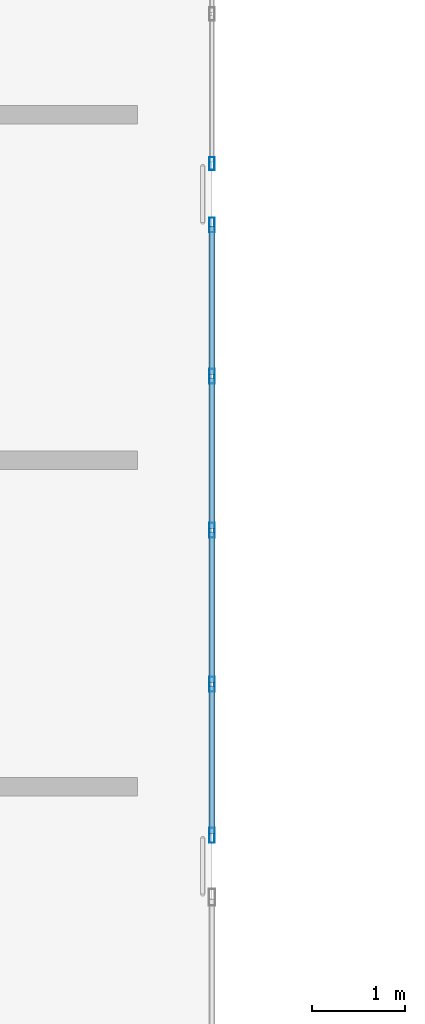
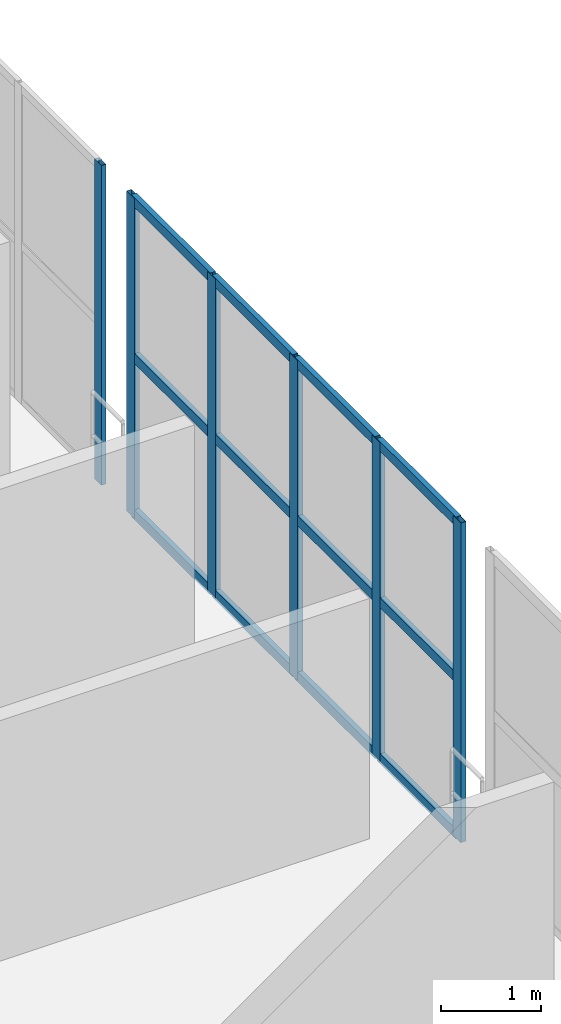
# One storey, part 62 of 130: 18 members, 2 elements without a shape of their own.
"""IFC4 building model written with IfcOpenShell, lengths in metres."""

import ifcopenshell
import ifcopenshell.guid

model = None  # the IFC model being written
_history = None  # IfcOwnerHistory: only IFC2X3 demands one
_inside = {}  # id of a spatial element -> (the spatial element, [elements in it])
_under = {}  # id of a project, library or spatial element -> (it, [spatial elements below it])
_declared = {}  # id of a project -> (the project, [libraries it declares])
_typed = {}  # id of a type object -> (the type object, [elements of that type])
_made_of = {}  # id of a material, layer set ... -> (it, [elements and type objects made of it])


def new_model(schema):
    """Start an empty IFC model of exactly this schema.

    Asked for "IFC4X3", IfcOpenShell would pick the latest addendum, in which some entities
    have other attributes; the version numbers below select the first issue.
    IFC2X3 requires an IfcOwnerHistory on every rooted entity: one is made here for all.
    """
    global model, _history
    if schema == "IFC4X3":
        model = ifcopenshell.file(schema_version=(4, 3, 0, 0))
    else:
        model = ifcopenshell.file(schema=schema)
    _inside.clear()
    _under.clear()
    _declared.clear()
    _typed.clear()
    _made_of.clear()
    _history = None
    if model.schema == "IFC2X3":
        org = make("IfcOrganization", Name="unknown")
        user = make(
            "IfcPersonAndOrganization",
            ThePerson=make("IfcPerson", FamilyName="unknown"),
            TheOrganization=org,
        )
        app = make(
            "IfcApplication",
            ApplicationDeveloper=org,
            Version="unknown",
            ApplicationFullName="unknown",
            ApplicationIdentifier="unknown",
        )
        _history = make(
            "IfcOwnerHistory",
            OwningUser=user,
            OwningApplication=app,
            ChangeAction="ADDED",
            CreationDate=0,
        )
    return model


def make(cls, **values):
    """One entity of the class cls with the attributes given. An attribute that is None is left unset."""
    return model.create_entity(
        cls, **{name: value for name, value in values.items() if value is not None}
    )


def rooted(cls, **values):
    """An entity with a GlobalId (a new one), such as an element, a storey or a relation."""
    return make(cls, GlobalId=ifcopenshell.guid.new(), OwnerHistory=_history, **values)


def si_unit(unit_type, name, prefix=None):
    """IfcSIUnit, for example si_unit("LENGTHUNIT", "METRE", prefix="MILLI")."""
    return make("IfcSIUnit", UnitType=unit_type, Prefix=prefix, Name=name)


def assignment(units):
    """IfcUnitAssignment: the units of a project."""
    return None if units is None else make("IfcUnitAssignment", Units=units)


def point(xyz):
    """IfcCartesianPoint."""
    return None if xyz is None else make("IfcCartesianPoint", Coordinates=xyz)


def direction(xyz):
    """IfcDirection."""
    return None if xyz is None else make("IfcDirection", DirectionRatios=xyz)


def frame(location, z_axis=None, x_axis=None):
    """IfcAxis2Placement3D, a coordinate frame: its origin and axes. An axis left out is left unset."""
    return make(
        "IfcAxis2Placement3D",
        Location=point(location),
        Axis=direction(z_axis),
        RefDirection=direction(x_axis),
    )


def frame_2d(location, x_axis=None):
    """IfcAxis2Placement2D, a coordinate frame in the plane: its origin and x axis."""
    return make(
        "IfcAxis2Placement2D", Location=point(location), RefDirection=direction(x_axis)
    )


def origin():
    """The frame at (0, 0, 0) with its axes left unset."""
    return frame((0.0, 0.0, 0.0))


def origin_2d():
    """The frame at (0, 0) in the plane with its x axis left unset."""
    return frame_2d((0.0, 0.0))


def place(relative_to, where):
    """IfcLocalPlacement: puts the frame where relative to a parent placement (None: the world)."""
    return make(
        "IfcLocalPlacement", PlacementRelTo=relative_to, RelativePlacement=where
    )


def context(
    kind, dimensions, precision=None, world=None, true_north=None, identifier=None
):
    """IfcGeometricRepresentationContext, for example the 3D "Model" context."""
    return make(
        "IfcGeometricRepresentationContext",
        ContextIdentifier=identifier,
        ContextType=kind,
        CoordinateSpaceDimension=dimensions,
        Precision=precision,
        WorldCoordinateSystem=world,
        TrueNorth=true_north,
    )


def subcontext(parent, identifier, kind, view, scale=None):
    """IfcGeometricRepresentationSubContext, for example "Body" below "Model"."""
    return make(
        "IfcGeometricRepresentationSubContext",
        ContextIdentifier=identifier,
        ContextType=kind,
        ParentContext=parent,
        TargetScale=scale,
        TargetView=view,
    )


def project(units=None, contexts=None):
    """IfcProject with its units and contexts."""
    return rooted(
        "IfcProject",
        Name="project",
        RepresentationContexts=contexts,
        UnitsInContext=assignment(units),
    )


def spatial(cls, under=None, at=None, **own):
    """A site, building, storey or space (cls), placed at a placement, below another one or the project."""
    s = rooted(cls, ObjectPlacement=at, **own)
    if under is not None:
        _under.setdefault(under.id(), (under, []))[1].append(s)
    return s


def profile(cls, at=None, kind="AREA", **sizes):
    """A parametric profile (cls). Its sizes go by their IFC names, for example OverallWidth=200.0."""
    return make(cls, ProfileType=kind, Position=at, **sizes)


def hollow_rectangle(**sizes):
    """IfcRectangleHollowProfileDef."""
    return profile("IfcRectangleHollowProfileDef", **sizes)


def extrude(swept, where, along, depth):
    """IfcExtrudedAreaSolid: the profile swept, set in the frame where, extruded along a direction by depth."""
    return make(
        "IfcExtrudedAreaSolid",
        SweptArea=swept,
        Position=where,
        ExtrudedDirection=direction(along),
        Depth=depth,
    )


def shape(context_of_items, identifier, shape_type, items):
    """IfcShapeRepresentation: the items that make up one representation, for example the "Body"."""
    return make(
        "IfcShapeRepresentation",
        ContextOfItems=context_of_items,
        RepresentationIdentifier=identifier,
        RepresentationType=shape_type,
        Items=items,
    )


def material(Name=None, Category=None):
    """IfcMaterial."""
    return make("IfcMaterial", Name=Name, Category=Category)


def material_profile(
    of_material, cross_section, Name=None, Category=None, Priority=None
):
    """IfcMaterialProfile: a cross section and its material."""
    return make(
        "IfcMaterialProfile",
        Name=Name,
        Material=of_material,
        Profile=cross_section,
        Priority=Priority,
        Category=Category,
    )


def profile_set(profiles, Name=None, composite=None):
    """IfcMaterialProfileSet."""
    return make(
        "IfcMaterialProfileSet",
        Name=Name,
        MaterialProfiles=profiles,
        CompositeProfile=composite,
    )


def made_of(thing, what):
    """Note that an element or type object is made of a material, layer set ...; save() writes the relation."""
    if what is not None:
        _made_of.setdefault(what.id(), (what, []))[1].append(thing)
    return thing


def type_object(cls, material=None, **own):
    """A type object (cls), such as IfcWallType, which elements share."""
    return made_of(rooted(cls, **own), material)


def element(
    cls,
    number,
    at=None,
    inside=None,
    cuts=None,
    type_object=None,
    material=None,
    context=None,
    identifier="Body",
    shape_type=None,
    held_by="IfcProductDefinitionShape",
    body=None,
    shapes=None,
    **own,
):
    """One element of the class cls, such as IfcWall. Its Tag is "e" and its number.

    at: its placement. inside: the storey or other place that contains it. cuts: it is an
    opening in that element (IfcRelVoidsElement). A single representation is given by context,
    identifier, shape_type and body (its items); several are given by shapes. held_by: the class
    of the entity that holds the representations. save() writes the other relations.
    """
    e = rooted(cls, Tag="e%d" % number, ObjectPlacement=at, **own)
    if body is not None:
        shapes = [shape(context, identifier, shape_type, body)]
    if shapes is not None:
        e.Representation = make(held_by, Representations=shapes)
    if inside is not None:
        _inside.setdefault(inside.id(), (inside, []))[1].append(e)
    if cuts is not None:
        rooted(
            "IfcRelVoidsElement", RelatingBuildingElement=cuts, RelatedOpeningElement=e
        )
    if type_object is not None:
        _typed.setdefault(type_object.id(), (type_object, []))[1].append(e)
    return made_of(e, material)


def aggregate(whole, parts):
    """IfcRelAggregates: a whole, such as a stair, and the parts it consists of."""
    return rooted("IfcRelAggregates", RelatingObject=whole, RelatedObjects=parts)


def save(model, path):
    """Write the relations noted so far, then the file.

    IfcRelAggregates (storeys below a building ...), IfcRelContainedInSpatialStructure (elements
    in a storey), IfcRelDefinesByType, IfcRelAssociatesMaterial and IfcRelDeclares: one each for
    every whole, place, type object, material and project.
    """
    for whole, parts in _under.values():
        aggregate(whole, parts)
    for where, things in _inside.values():
        rooted(
            "IfcRelContainedInSpatialStructure",
            RelatedElements=things,
            RelatingStructure=where,
        )
    for kind, things in _typed.values():
        rooted("IfcRelDefinesByType", RelatedObjects=things, RelatingType=kind)
    for what, things in _made_of.values():
        rooted("IfcRelAssociatesMaterial", RelatedObjects=things, RelatingMaterial=what)
    for by, libraries in _declared.values():
        rooted("IfcRelDeclares", RelatingContext=by, RelatedDefinitions=libraries)
    model.write(path)


model = new_model("IFC4")

# Units and contexts
model_context = context("Model", 3, precision=1e-05, world=origin(), true_north=direction((0.0, 1.0)))
body_context = subcontext(model_context, "Body", "Model", "MODEL_VIEW")
ifc_project = project(units=[si_unit("LENGTHUNIT", "METRE"), si_unit("AREAUNIT", "SQUARE_METRE"), si_unit("VOLUMEUNIT", "CUBIC_METRE"), si_unit("PLANEANGLEUNIT", "RADIAN"), si_unit("MASSUNIT", "GRAM", prefix="KILO")], contexts=[model_context])

# Site, building, storey
site_placement = place(None, origin())
site = spatial("IfcSite", under=ifc_project, at=site_placement, CompositionType="ELEMENT")
building_placement = place(site_placement, origin())
building = spatial("IfcBuilding", under=site, at=building_placement, Name="Qandorah Velis Arena", CompositionType="ELEMENT")
storey_placement = place(building_placement, frame((0.0, 0.0, 9.60009765625)))
storey = spatial("IfcBuildingStorey", under=building, at=storey_placement, Name="L02", CompositionType="ELEMENT", Elevation=9.60009765625)

# Curtain wall, member
ifc_material_1 = material(Name="Solar-control low-E double glazing", Category="glass")
curtain_wall_type_1 = type_object("IfcCurtainWallType", Name="ARC-CW-SYS16", PredefinedType="USERDEFINED", material=ifc_material_1)
curtain_wall_1_placement = place(storey_placement, origin())
curtain_wall_1 = element("IfcCurtainWall", 1, at=curtain_wall_1_placement, inside=storey, type_object=curtain_wall_type_1, Name="Unitised curtain wall L02-112", ObjectType="UNITISED CURTAIN WALL", PredefinedType="USERDEFINED")
ifc_material_2 = material(Name="Champagne-bronze anodized aluminium 6063-T6", Category="aluminium")
ifc_material_profile_1 = material_profile(ifc_material_2, hollow_rectangle(XDim=0.054931640625, YDim=0.139892578125, WallThickness=0.0029296875, at=origin_2d()), Name="ALU MULLION 55x140")
ifc_profile_set_1 = profile_set([ifc_material_profile_1], Name="Champagne-bronze anodized aluminium 6063-T6")
member_type_1 = type_object("IfcMemberType", Name="ARC-CWM-140", PredefinedType="MULLION", material=ifc_profile_set_1)
member_1_placement = place(storey_placement, frame((122.39990234375, 79.527587890625, -0.01513671875), z_axis=(0.0, 0.0, 1.0), x_axis=(-1.0, 0.0, 0.0)))
member_1 = element("IfcMember", 2, at=member_1_placement, type_object=member_type_1, Name="CW16 mullion 1", PredefinedType="MULLION", context=body_context, shape_type="SweptSolid", body=[
    extrude(hollow_rectangle(XDim=0.054931640625, YDim=0.139892578125, WallThickness=0.0029296875, at=origin_2d()), origin(), (0.0, 0.0, 1.0), 3.91015625),
])
aggregate(curtain_wall_1, [member_1])

# Curtain wall, members
curtain_wall_type_2 = type_object("IfcCurtainWallType", Name="ARC-CW-SYS15", PredefinedType="USERDEFINED", material=ifc_material_1)
curtain_wall_2_placement = place(storey_placement, origin())
curtain_wall_2 = element("IfcCurtainWall", 3, at=curtain_wall_2_placement, inside=storey, type_object=curtain_wall_type_2, Name="Unitised curtain wall L02-111", ObjectType="UNITISED CURTAIN WALL", PredefinedType="USERDEFINED")
ifc_material_profile_2 = material_profile(ifc_material_2, hollow_rectangle(XDim=0.06005859375, YDim=0.159912109375, WallThickness=0.00341796875, at=origin_2d()), Name="ALU MULLION 60x160")
ifc_profile_set_2 = profile_set([ifc_material_profile_2], Name="Champagne-bronze anodized aluminium 6063-T6")
member_type_2 = type_object("IfcMemberType", Name="ARC-CWM-160", PredefinedType="MULLION", material=ifc_profile_set_2)
member_2_placement = place(storey_placement, frame((122.39990234375, 72.330078125, -0.01513671875), z_axis=(0.0, 0.0, 1.0), x_axis=(-1.0, 0.0, 0.0)))
member_2 = element("IfcMember", 4, at=member_2_placement, type_object=member_type_2, Name="CW15 mullion 1", PredefinedType="MULLION", context=body_context, shape_type="SweptSolid", body=[
    extrude(hollow_rectangle(XDim=0.06005859375, YDim=0.159912109375, WallThickness=0.00341796875, at=origin_2d()), origin(), (0.0, 0.0, 1.0), 3.91015625),
])
member_3_placement = place(storey_placement, frame((122.39990234375, 73.949951171875, -0.01513671875), z_axis=(0.0, 0.0, 1.0), x_axis=(-1.0, 0.0, 0.0)))
member_3 = element("IfcMember", 5, at=member_3_placement, type_object=member_type_2, Name="CW15 mullion 2", PredefinedType="MULLION", context=body_context, shape_type="SweptSolid", body=[
    extrude(hollow_rectangle(XDim=0.06005859375, YDim=0.159912109375, WallThickness=0.00341796875, at=origin_2d()), origin(), (0.0, 0.0, 1.0), 3.91015625),
])
member_4_placement = place(storey_placement, frame((122.39990234375, 75.60009765625, -0.01513671875), z_axis=(0.0, 0.0, 1.0), x_axis=(-1.0, 0.0, 0.0)))
member_4 = element("IfcMember", 6, at=member_4_placement, type_object=member_type_2, Name="CW15 mullion 3", PredefinedType="MULLION", context=body_context, shape_type="SweptSolid", body=[
    extrude(hollow_rectangle(XDim=0.06005859375, YDim=0.159912109375, WallThickness=0.00341796875, at=origin_2d()), origin(), (0.0, 0.0, 1.0), 3.91015625),
])
member_5_placement = place(storey_placement, frame((122.39990234375, 77.25, -0.01513671875), z_axis=(0.0, 0.0, 1.0), x_axis=(-1.0, 0.0, 0.0)))
member_5 = element("IfcMember", 7, at=member_5_placement, type_object=member_type_2, Name="CW15 mullion 4", PredefinedType="MULLION", context=body_context, shape_type="SweptSolid", body=[
    extrude(hollow_rectangle(XDim=0.06005859375, YDim=0.159912109375, WallThickness=0.00341796875, at=origin_2d()), origin(), (0.0, 0.0, 1.0), 3.91015625),
])
member_6_placement = place(storey_placement, frame((122.39990234375, 78.8701171875, -0.01513671875), z_axis=(0.0, 0.0, 1.0), x_axis=(-1.0, 0.0, 0.0)))
member_6 = element("IfcMember", 8, at=member_6_placement, type_object=member_type_2, Name="CW15 mullion 5", PredefinedType="MULLION", context=body_context, shape_type="SweptSolid", body=[
    extrude(hollow_rectangle(XDim=0.06005859375, YDim=0.159912109375, WallThickness=0.00341796875, at=origin_2d()), origin(), (0.0, 0.0, 1.0), 3.91015625),
])
ifc_material_profile_3 = material_profile(ifc_material_2, hollow_rectangle(XDim=0.06005859375, YDim=0.1201171875, WallThickness=0.0029296875, at=origin_2d()), Name="ALU TRANSOM 60x120")
ifc_profile_set_3 = profile_set([ifc_material_profile_3], Name="Champagne-bronze anodized aluminium 6063-T6")
member_type_3 = type_object("IfcMemberType", Name="ARC-CWT-120", PredefinedType="USERDEFINED", material=ifc_profile_set_3)
member_7_placement = place(storey_placement, frame((122.39990234375, 72.347900390625, 0.02978515625), z_axis=(0.0, 1.0, 0.0), x_axis=(-1.0, 0.0, 0.0)))
member_7 = element("IfcMember", 9, at=member_7_placement, type_object=member_type_3, Name="CW15 transom 1.1", ObjectType="TRANSOM", PredefinedType="USERDEFINED", context=body_context, shape_type="SweptSolid", body=[
    extrude(hollow_rectangle(XDim=0.06005859375, YDim=0.1201171875, WallThickness=0.0029296875, at=origin_2d()), origin(), (0.0, 0.0, 1.0), 1.583984375),
])
member_8_placement = place(storey_placement, frame((122.39990234375, 72.347900390625, 1.93994140625), z_axis=(0.0, 1.0, 0.0), x_axis=(-1.0, 0.0, 0.0)))
member_8 = element("IfcMember", 10, at=member_8_placement, type_object=member_type_3, Name="CW15 transom 1.2", ObjectType="TRANSOM", PredefinedType="USERDEFINED", context=body_context, shape_type="SweptSolid", body=[
    extrude(hollow_rectangle(XDim=0.06005859375, YDim=0.1201171875, WallThickness=0.0029296875, at=origin_2d()), origin(), (0.0, 0.0, 1.0), 1.583984375),
])
member_9_placement = place(storey_placement, frame((122.39990234375, 72.347900390625, 3.849853515625), z_axis=(0.0, 1.0, 0.0), x_axis=(-1.0, 0.0, 0.0)))
member_9 = element("IfcMember", 11, at=member_9_placement, type_object=member_type_3, Name="CW15 transom 1.3", ObjectType="TRANSOM", PredefinedType="USERDEFINED", context=body_context, shape_type="SweptSolid", body=[
    extrude(hollow_rectangle(XDim=0.06005859375, YDim=0.1201171875, WallThickness=0.0029296875, at=origin_2d()), origin(), (0.0, 0.0, 1.0), 1.583984375),
])
member_10_placement = place(storey_placement, frame((122.39990234375, 73.968017578125, 0.02978515625), z_axis=(0.0, 1.0, 0.0), x_axis=(-1.0, 0.0, 0.0)))
member_10 = element("IfcMember", 12, at=member_10_placement, type_object=member_type_3, Name="CW15 transom 2.1", ObjectType="TRANSOM", PredefinedType="USERDEFINED", context=body_context, shape_type="SweptSolid", body=[
    extrude(hollow_rectangle(XDim=0.06005859375, YDim=0.1201171875, WallThickness=0.0029296875, at=origin_2d()), origin(), (0.0, 0.0, 1.0), 1.614013671875),
])
member_11_placement = place(storey_placement, frame((122.39990234375, 73.968017578125, 1.93994140625), z_axis=(0.0, 1.0, 0.0), x_axis=(-1.0, 0.0, 0.0)))
member_11 = element("IfcMember", 13, at=member_11_placement, type_object=member_type_3, Name="CW15 transom 2.2", ObjectType="TRANSOM", PredefinedType="USERDEFINED", context=body_context, shape_type="SweptSolid", body=[
    extrude(hollow_rectangle(XDim=0.06005859375, YDim=0.1201171875, WallThickness=0.0029296875, at=origin_2d()), origin(), (0.0, 0.0, 1.0), 1.614013671875),
])
member_12_placement = place(storey_placement, frame((122.39990234375, 73.968017578125, 3.849853515625), z_axis=(0.0, 1.0, 0.0), x_axis=(-1.0, 0.0, 0.0)))
member_12 = element("IfcMember", 14, at=member_12_placement, type_object=member_type_3, Name="CW15 transom 2.3", ObjectType="TRANSOM", PredefinedType="USERDEFINED", context=body_context, shape_type="SweptSolid", body=[
    extrude(hollow_rectangle(XDim=0.06005859375, YDim=0.1201171875, WallThickness=0.0029296875, at=origin_2d()), origin(), (0.0, 0.0, 1.0), 1.614013671875),
])
member_13_placement = place(storey_placement, frame((122.39990234375, 75.617919921875, 0.02978515625), z_axis=(0.0, 1.0, 0.0), x_axis=(-1.0, 0.0, 0.0)))
member_13 = element("IfcMember", 15, at=member_13_placement, type_object=member_type_3, Name="CW15 transom 3.1", ObjectType="TRANSOM", PredefinedType="USERDEFINED", context=body_context, shape_type="SweptSolid", body=[
    extrude(hollow_rectangle(XDim=0.06005859375, YDim=0.1201171875, WallThickness=0.0029296875, at=origin_2d()), origin(), (0.0, 0.0, 1.0), 1.614013671875),
])
member_14_placement = place(storey_placement, frame((122.39990234375, 75.617919921875, 1.93994140625), z_axis=(0.0, 1.0, 0.0), x_axis=(-1.0, 0.0, 0.0)))
member_14 = element("IfcMember", 16, at=member_14_placement, type_object=member_type_3, Name="CW15 transom 3.2", ObjectType="TRANSOM", PredefinedType="USERDEFINED", context=body_context, shape_type="SweptSolid", body=[
    extrude(hollow_rectangle(XDim=0.06005859375, YDim=0.1201171875, WallThickness=0.0029296875, at=origin_2d()), origin(), (0.0, 0.0, 1.0), 1.614013671875),
])
member_15_placement = place(storey_placement, frame((122.39990234375, 75.617919921875, 3.849853515625), z_axis=(0.0, 1.0, 0.0), x_axis=(-1.0, 0.0, 0.0)))
member_15 = element("IfcMember", 17, at=member_15_placement, type_object=member_type_3, Name="CW15 transom 3.3", ObjectType="TRANSOM", PredefinedType="USERDEFINED", context=body_context, shape_type="SweptSolid", body=[
    extrude(hollow_rectangle(XDim=0.06005859375, YDim=0.1201171875, WallThickness=0.0029296875, at=origin_2d()), origin(), (0.0, 0.0, 1.0), 1.614013671875),
])
member_16_placement = place(storey_placement, frame((122.39990234375, 77.26806640625, 0.02978515625), z_axis=(0.0, 1.0, 0.0), x_axis=(-1.0, 0.0, 0.0)))
member_16 = element("IfcMember", 18, at=member_16_placement, type_object=member_type_3, Name="CW15 transom 4.1", ObjectType="TRANSOM", PredefinedType="USERDEFINED", context=body_context, shape_type="SweptSolid", body=[
    extrude(hollow_rectangle(XDim=0.06005859375, YDim=0.1201171875, WallThickness=0.0029296875, at=origin_2d()), origin(), (0.0, 0.0, 1.0), 1.583984375),
])
member_17_placement = place(storey_placement, frame((122.39990234375, 77.26806640625, 1.93994140625), z_axis=(0.0, 1.0, 0.0), x_axis=(-1.0, 0.0, 0.0)))
member_17 = element("IfcMember", 19, at=member_17_placement, type_object=member_type_3, Name="CW15 transom 4.2", ObjectType="TRANSOM", PredefinedType="USERDEFINED", context=body_context, shape_type="SweptSolid", body=[
    extrude(hollow_rectangle(XDim=0.06005859375, YDim=0.1201171875, WallThickness=0.0029296875, at=origin_2d()), origin(), (0.0, 0.0, 1.0), 1.583984375),
])
member_18_placement = place(storey_placement, frame((122.39990234375, 77.26806640625, 3.849853515625), z_axis=(0.0, 1.0, 0.0), x_axis=(-1.0, 0.0, 0.0)))
member_18 = element("IfcMember", 20, at=member_18_placement, type_object=member_type_3, Name="CW15 transom 4.3", ObjectType="TRANSOM", PredefinedType="USERDEFINED", context=body_context, shape_type="SweptSolid", body=[
    extrude(hollow_rectangle(XDim=0.06005859375, YDim=0.1201171875, WallThickness=0.0029296875, at=origin_2d()), origin(), (0.0, 0.0, 1.0), 1.583984375),
])
aggregate(curtain_wall_2, [member_2, member_3, member_4, member_5, member_6, member_7, member_8, member_9, member_10, member_11, member_12, member_13, member_14, member_15, member_16, member_17, member_18])

save(model, "model.ifc")
